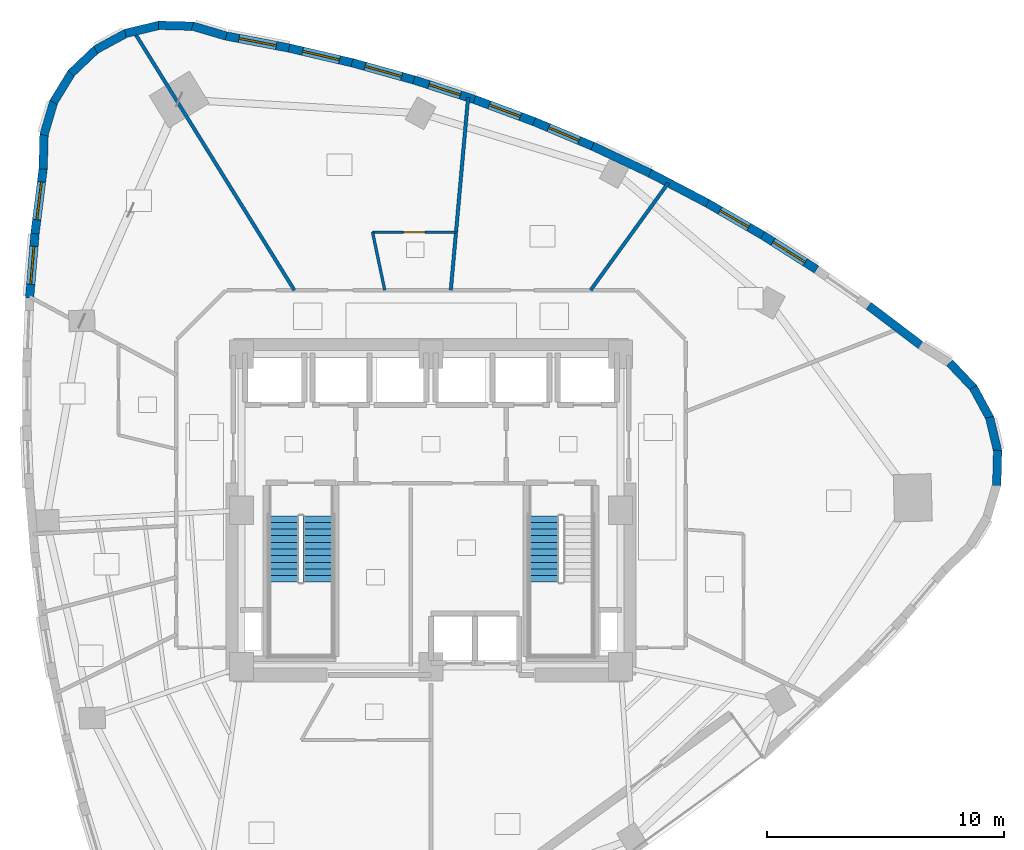
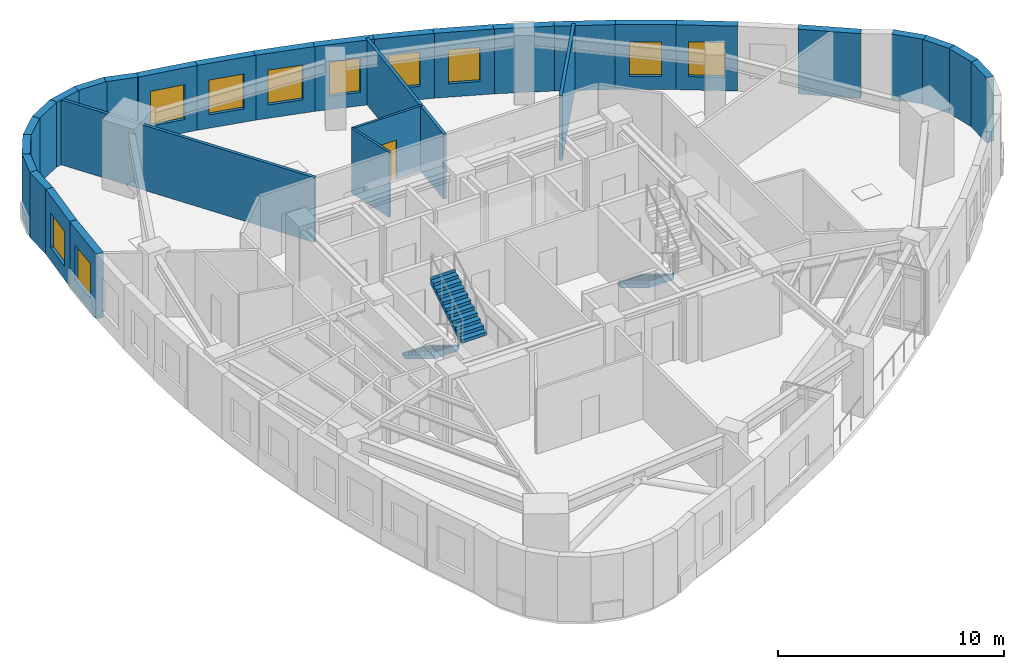
# One storey, part 8 of 12: 30 walls, 10 windows, 3 stair flights, 1 door, 11 openings, 2 elements without a shape of their own.
"""IFC4 building model written with IfcOpenShell, lengths in metres."""

from ifc_helpers import new_model, si_unit, direction, frame, frame_2d, origin, place, context, subcontext, project, spatial, polyline, rectangle, outline, extrude, material, layer, layer_set, type_object, element, fill, aggregate, save


model = new_model("IFC4")

# Units and contexts
model_context = context("Model", 3, precision=1e-05, world=origin(), true_north=direction((0.0, 1.0)))
body_context = subcontext(model_context, "Body", "Model", "MODEL_VIEW")
ifc_project = project(units=[si_unit("LENGTHUNIT", "METRE"), si_unit("AREAUNIT", "SQUARE_METRE"), si_unit("VOLUMEUNIT", "CUBIC_METRE"), si_unit("PLANEANGLEUNIT", "RADIAN"), si_unit("MASSUNIT", "GRAM", prefix="KILO")], contexts=[model_context])

# Site, building, storey
site_placement = place(None, origin())
site = spatial("IfcSite", under=ifc_project, at=site_placement, CompositionType="ELEMENT")
building_placement = place(site_placement, origin())
building = spatial("IfcBuilding", under=site, at=building_placement, Name="Ndelora Gate Hotel", CompositionType="ELEMENT")
storey_placement = place(building_placement, frame((0.0, 0.0, 149.75)))
storey = spatial("IfcBuildingStorey", under=building, at=storey_placement, Name="L37", CompositionType="ELEMENT", Elevation=149.75)

# Walls
ifc_material_1 = material(Name="Clay Brick Masonry", Category="masonry")
ifc_layer_1 = layer(ifc_material_1, 0.360107421875)
ifc_layer_set_1 = layer_set([ifc_layer_1], Name="Clay Brick Masonry")
wall_type_1 = type_object("IfcWallType", Name="WL-BRICK-360", PredefinedType="SOLIDWALL", material=ifc_layer_set_1)
for number, where, z_axis, x_axis, name in (
    (1, (-10.072998046875, 20.455078125, 0.0), (0.0, 0.0, 1.0), (0.95879313952, -0.284105113664, 0.0), "L37 Tower Brick Pier-and-Spandrel Wall TWR-1"),
    (2, (-11.509521484375, 20.486083984375, 0.0), (0.0, 0.0, 1.0), (0.999658678656, -0.026125202154, 0.0), "L37 Tower Brick Pier-and-Spandrel Wall TWR-2"),
):
    element("IfcWall", number, at=place(storey_placement, frame(where, z_axis=z_axis, x_axis=x_axis)), inside=storey, type_object=wall_type_1, Name=name, PredefinedType="SOLIDWALL", context=body_context, shape_type="SweptSolid", body=[
        extrude(rectangle(XDim=1.48583984375, YDim=0.360107421875, at=frame_2d((0.742919921875, 0.0))), origin(), (0.0, 0.0, 1.0), 3.5),
    ])
wall_1_placement = place(storey_placement, frame((-12.90478515625, 20.14453125, 0.0), z_axis=(0.0, 0.0, 1.0), x_axis=(0.972390285352, 0.233360521413, 0.0)))
element("IfcWall", 3, at=wall_1_placement, inside=storey, type_object=wall_type_1, Name="L37 Tower Brick Pier-and-Spandrel Wall TWR-3", PredefinedType="SOLIDWALL", context=body_context, shape_type="SweptSolid", body=[
    extrude(rectangle(XDim=1.485595703125, YDim=0.360107421875, at=frame_2d((0.74267578125, 0.0))), origin(), (0.0, 0.0, 1.0), 3.5),
])
wall_2_placement = place(storey_placement, frame((-14.164306640625, 19.453369140625, 0.0), z_axis=(0.0, 0.0, 1.0), x_axis=(0.87890460574, 0.476997582812, 0.0)))
element("IfcWall", 4, at=wall_2_placement, inside=storey, type_object=wall_type_1, Name="L37 Tower Brick Pier-and-Spandrel Wall TWR-4", PredefinedType="SOLIDWALL", context=body_context, shape_type="SweptSolid", body=[
    extrude(rectangle(XDim=1.48583984375, YDim=0.360107421875, at=frame_2d((0.742919921875, 0.0))), origin(), (0.0, 0.0, 1.0), 3.5),
])
wall_3_placement = place(storey_placement, frame((-15.201904296875, 18.459716796875, 0.0), z_axis=(0.0, 0.0, 1.0), x_axis=(0.725352183474, 0.688377955726, 0.0)))
element("IfcWall", 5, at=wall_3_placement, inside=storey, type_object=wall_type_1, Name="L37 Tower Brick Pier-and-Spandrel Wall TWR-5", PredefinedType="SOLIDWALL", context=body_context, shape_type="SweptSolid", body=[
    extrude(rectangle(XDim=1.485595703125, YDim=0.360107421875, at=frame_2d((0.74267578125, 0.0))), origin(), (0.0, 0.0, 1.0), 3.5),
])
wall_4_placement = place(storey_placement, frame((-15.947021484375, 17.2314453125, 0.0), z_axis=(0.0, 0.0, 1.0), x_axis=(0.522519673624, 0.852627228439, 0.0)))
element("IfcWall", 6, at=wall_4_placement, inside=storey, type_object=wall_type_1, Name="L37 Tower Brick Pier-and-Spandrel Wall TWR-6", PredefinedType="SOLIDWALL", context=body_context, shape_type="SweptSolid", body=[
    extrude(rectangle(XDim=1.48583984375, YDim=0.360107421875, at=frame_2d((0.742919921875, 0.0))), origin(), (0.0, 0.0, 1.0), 3.5),
])
for number, where, z_axis, x_axis, name in (
    (7, (-16.348876953125, 15.85205078125, 0.0), (0.0, 0.0, 1.0), (0.283954048509, 0.958837889497, 0.0), "L37 Tower Brick Pier-and-Spandrel Wall TWR-7"),
    (8, (-16.380126953125, 14.415771484375, 0.0), (0.0, 0.0, 1.0), (0.026293717191, 0.99965426045, 0.0), "L37 Tower Brick Pier-and-Spandrel Wall TWR-8"),
):
    element("IfcWall", number, at=place(storey_placement, frame(where, z_axis=z_axis, x_axis=x_axis)), inside=storey, type_object=wall_type_1, Name=name, PredefinedType="SOLIDWALL", context=body_context, shape_type="SweptSolid", body=[
        extrude(rectangle(XDim=1.485595703125, YDim=0.360107421875, at=frame_2d((0.74267578125, 0.0))), origin(), (0.0, 0.0, 1.0), 3.5),
    ])

# Wall, opening, window
wall_5_placement = place(storey_placement, frame((-16.725341796875, 11.686279296875, 0.0), z_axis=(0.0, 0.0, 1.0), x_axis=(0.124635429152, 0.992202605217, 0.0)))
wall_5 = element("IfcWall", 9, at=wall_5_placement, inside=storey, type_object=wall_type_1, Name="L37 Tower Brick Pier-and-Spandrel Wall TWR-9", PredefinedType="SOLIDWALL", context=body_context, shape_type="SweptSolid", body=[
    extrude(rectangle(XDim=2.801025390625, YDim=0.360107421875, at=frame_2d((1.400390625, 0.0))), origin(), (0.0, 0.0, 1.0), 3.5),
])
opening_1_placement = place(wall_5_placement, frame((0.6005859375, 0.0, 0.719970703125)))
opening_1 = element("IfcOpeningElement", 10, at=opening_1_placement, cuts=wall_5, Name="Opening W03", PredefinedType="OPENING", context=body_context, shape_type="SweptSolid", body=[
    extrude(rectangle(XDim=1.60009765625, YDim=1.8798828125, at=frame_2d((0.800048828125, 0.93994140625))), frame((0.0, 0.18994140625, 0.0), z_axis=(0.0, -1.0, 0.0), x_axis=(1.0, 0.0, 0.0)), (0.0, 0.0, 1.0), 0.380126953125),
])
ifc_material_2 = material(Name="Insulated Low-E Double Glazing in Bronze Aluminium Frame", Category="aluminium")
window_type_1 = type_object("IfcWindowType", Name="WN-CORN-2100", PartitioningType="SINGLE_PANEL", PredefinedType="WINDOW", material=ifc_material_2)
window_1_placement = place(opening_1_placement, origin())
window_1 = element("IfcWindow", 11, at=window_1_placement, inside=storey, type_object=window_type_1, Name="L37 Deep-Set Brick-Pier Window W03", OverallHeight=1.8798828125, OverallWidth=1.60009765625, PartitioningType="SINGLE_PANEL", PredefinedType="WINDOW", context=body_context, shape_type="SweptSolid", body=[
    extrude(rectangle(XDim=1.60009765625, YDim=1.8798828125, at=frame_2d((0.800048828125, 0.93994140625))), frame((0.0, 0.030029296875, 0.0), z_axis=(0.0, -1.0, 0.0), x_axis=(1.0, 0.0, 0.0)), (0.0, 0.0, 1.0), 0.06005859375),
])
fill(opening_1, window_1)

wall_6_placement = place(storey_placement, frame((-16.9541015625, 8.96826171875, 0.0), z_axis=(0.0, 0.0, 1.0), x_axis=(0.084209356436, 0.996448084091, 0.0)))
wall_6 = element("IfcWall", 12, at=wall_6_placement, inside=storey, type_object=wall_type_1, Name="L37 Tower Brick Pier-and-Spandrel Wall TWR-10", PredefinedType="SOLIDWALL", context=body_context, shape_type="SweptSolid", body=[
    extrude(rectangle(XDim=2.77734375, YDim=0.360107421875, at=frame_2d((1.388671875, 0.0))), origin(), (0.0, 0.0, 1.0), 3.5),
])
opening_2_placement = place(wall_6_placement, frame((0.5888671875, 0.0, 0.719970703125)))
opening_2 = element("IfcOpeningElement", 13, at=opening_2_placement, cuts=wall_6, Name="Opening W01", PredefinedType="OPENING", context=body_context, shape_type="SweptSolid", body=[
    extrude(rectangle(XDim=1.60009765625, YDim=1.8798828125, at=frame_2d((0.800048828125, 0.93994140625))), frame((0.0, 0.18994140625, 0.0), z_axis=(0.0, -1.0, 0.0), x_axis=(1.0, 0.0, 0.0)), (0.0, 0.0, 1.0), 0.380126953125),
])
window_type_2 = type_object("IfcWindowType", Name="WN-DEEP-1600", PartitioningType="SINGLE_PANEL", PredefinedType="WINDOW", material=ifc_material_2)
window_2_placement = place(opening_2_placement, origin())
window_2 = element("IfcWindow", 14, at=window_2_placement, inside=storey, type_object=window_type_2, Name="L37 Deep-Set Brick-Pier Window W01", OverallHeight=1.8798828125, OverallWidth=1.60009765625, PartitioningType="SINGLE_PANEL", PredefinedType="WINDOW", context=body_context, shape_type="SweptSolid", body=[
    extrude(rectangle(XDim=1.60009765625, YDim=1.8798828125, at=frame_2d((0.800048828125, 0.93994140625))), frame((0.0, 0.030029296875, 0.0), z_axis=(0.0, -1.0, 0.0), x_axis=(1.0, 0.0, 0.0)), (0.0, 0.0, 1.0), 0.06005859375),
])
fill(opening_2, window_2)

# Walls
wall_7_placement = place(storey_placement, frame((23.92919921875, 2.5400390625, 0.0), z_axis=(0.0, 0.0, 1.0), x_axis=(-0.026289398397, -0.999654374037, 0.0)))
element("IfcWall", 15, at=wall_7_placement, inside=storey, type_object=wall_type_1, Name="L37 Tower Brick Pier-and-Spandrel Wall TWR-42", PredefinedType="SOLIDWALL", context=body_context, shape_type="SweptSolid", body=[
    extrude(rectangle(XDim=1.48583984375, YDim=0.360107421875, at=frame_2d((0.742919921875, 0.0))), origin(), (0.0, 0.0, 1.0), 3.5),
])
for number, where, z_axis, x_axis, name in (
    (16, (23.587646484375, 3.935302734375, 0.0), (0.0, 0.0, 1.0), (0.233360521413, -0.972390285352, 0.0), "L37 Tower Brick Pier-and-Spandrel Wall TWR-43"),
    (17, (22.896484375, 5.19482421875, 0.0), (0.0, 0.0, 1.0), (0.477066476677, -0.878867212286, 0.0), "L37 Tower Brick Pier-and-Spandrel Wall TWR-44"),
):
    element("IfcWall", number, at=place(storey_placement, frame(where, z_axis=z_axis, x_axis=x_axis)), inside=storey, type_object=wall_type_1, Name=name, PredefinedType="SOLIDWALL", context=body_context, shape_type="SweptSolid", body=[
        extrude(rectangle(XDim=1.485595703125, YDim=0.360107421875, at=frame_2d((0.74267578125, 0.0))), origin(), (0.0, 0.0, 1.0), 3.5),
    ])
wall_8_placement = place(storey_placement, frame((21.902587890625, 6.232421875, 0.0), z_axis=(0.0, 0.0, 1.0), x_axis=(0.688464400899, -0.725270134981, 0.0)))
element("IfcWall", 18, at=wall_8_placement, inside=storey, type_object=wall_type_1, Name="L37 Tower Brick Pier-and-Spandrel Wall TWR-45", PredefinedType="SOLIDWALL", context=body_context, shape_type="SweptSolid", body=[
    extrude(rectangle(XDim=1.48583984375, YDim=0.360107421875, at=frame_2d((0.742919921875, 0.0))), origin(), (0.0, 0.0, 1.0), 3.5),
])
wall_9_placement = place(storey_placement, frame((18.483154296875, 8.6416015625, 0.0), z_axis=(0.0, 0.0, 1.0), x_axis=(0.796935762967, -0.604064060928, 0.0)))
element("IfcWall", 19, at=wall_9_placement, inside=storey, type_object=wall_type_1, Name="L37 Tower Brick Pier-and-Spandrel Wall TWR-47", PredefinedType="SOLIDWALL", context=body_context, shape_type="SweptSolid", body=[
    extrude(rectangle(XDim=2.80126953125, YDim=0.360107421875, at=frame_2d((1.400634765625, 0.0))), origin(), (0.0, 0.0, 1.0), 3.5),
])

# Wall, opening, window
wall_10_placement = place(storey_placement, frame((13.9580078125, 11.6513671875, 0.0), z_axis=(0.0, 0.0, 1.0), x_axis=(0.843759875161, -0.53672085209, 0.0)))
wall_10 = element("IfcWall", 20, at=wall_10_placement, inside=storey, type_object=wall_type_1, Name="L37 Tower Brick Pier-and-Spandrel Wall TWR-49", PredefinedType="SOLIDWALL", context=body_context, shape_type="SweptSolid", body=[
    extrude(rectangle(XDim=2.75830078125, YDim=0.360107421875, at=frame_2d((1.379150390625, 0.0))), origin(), (0.0, 0.0, 1.0), 3.5),
])
opening_3_placement = place(wall_10_placement, frame((0.5791015625, 0.0, 0.719970703125)))
opening_3 = element("IfcOpeningElement", 21, at=opening_3_placement, cuts=wall_10, Name="Opening W03", PredefinedType="OPENING", context=body_context, shape_type="SweptSolid", body=[
    extrude(rectangle(XDim=1.60009765625, YDim=1.8798828125, at=frame_2d((0.800048828125, 0.93994140625))), frame((0.0, 0.18994140625, 0.0), z_axis=(0.0, -1.0, 0.0), x_axis=(1.0, 0.0, 0.0)), (0.0, 0.0, 1.0), 0.380126953125),
])
window_3_placement = place(opening_3_placement, origin())
window_3 = element("IfcWindow", 22, at=window_3_placement, inside=storey, type_object=window_type_1, Name="L37 Deep-Set Brick-Pier Window W03", OverallHeight=1.8798828125, OverallWidth=1.60009765625, PartitioningType="SINGLE_PANEL", PredefinedType="WINDOW", context=body_context, shape_type="SweptSolid", body=[
    extrude(rectangle(XDim=1.60009765625, YDim=1.8798828125, at=frame_2d((0.800048828125, 0.93994140625))), frame((0.0, 0.030029296875, 0.0), z_axis=(0.0, -1.0, 0.0), x_axis=(1.0, 0.0, 0.0)), (0.0, 0.0, 1.0), 0.06005859375),
])
fill(opening_3, window_3)

wall_11_placement = place(storey_placement, frame((11.6259765625, 13.000244140625, 0.0), z_axis=(0.0, 0.0, 1.0), x_axis=(0.86542019342, -0.501046793044, 0.0)))
wall_11 = element("IfcWall", 23, at=wall_11_placement, inside=storey, type_object=wall_type_1, Name="L37 Tower Brick Pier-and-Spandrel Wall TWR-50", PredefinedType="SOLIDWALL", context=body_context, shape_type="SweptSolid", body=[
    extrude(rectangle(XDim=2.74365234375, YDim=0.360107421875, at=frame_2d((1.371826171875, 0.0))), origin(), (0.0, 0.0, 1.0), 3.5),
])
opening_4_placement = place(wall_11_placement, frame((0.672119140625, 0.0, 0.719970703125)))
opening_4 = element("IfcOpeningElement", 24, at=opening_4_placement, cuts=wall_11, Name="Opening W02", PredefinedType="OPENING", context=body_context, shape_type="SweptSolid", body=[
    extrude(rectangle(XDim=1.39990234375, YDim=1.840087890625, at=frame_2d((0.699951171875, 0.919921875))), frame((0.0, 0.18994140625, 0.0), z_axis=(0.0, -1.0, 0.0), x_axis=(1.0, 0.0, 0.0)), (0.0, 0.0, 1.0), 0.380126953125),
])
window_type_3 = type_object("IfcWindowType", Name="WN-DEEP-1400", PartitioningType="SINGLE_PANEL", PredefinedType="WINDOW", material=ifc_material_2)
window_4_placement = place(opening_4_placement, origin())
window_4 = element("IfcWindow", 25, at=window_4_placement, inside=storey, type_object=window_type_3, Name="L37 Deep-Set Brick-Pier Window W02", OverallHeight=1.840087890625, OverallWidth=1.39990234375, PartitioningType="SINGLE_PANEL", PredefinedType="WINDOW", context=body_context, shape_type="SweptSolid", body=[
    extrude(rectangle(XDim=1.39990234375, YDim=1.840087890625, at=frame_2d((0.699951171875, 0.919921875))), frame((0.0, 0.030029296875, 0.0), z_axis=(0.0, -1.0, 0.0), x_axis=(1.0, 0.0, 0.0)), (0.0, 0.0, 1.0), 0.06005859375),
])
fill(opening_4, window_4)

# Walls
wall_12_placement = place(storey_placement, frame((9.24755859375, 14.2451171875, 0.0), z_axis=(0.0, 0.0, 1.0), x_axis=(0.885821049336, -0.464027012741, 0.0)))
element("IfcWall", 26, at=wall_12_placement, inside=storey, type_object=wall_type_1, Name="L37 Tower Brick Pier-and-Spandrel Wall TWR-51", PredefinedType="SOLIDWALL", context=body_context, shape_type="SweptSolid", body=[
    extrude(rectangle(XDim=2.734375, YDim=0.360107421875, at=frame_2d((1.3671875, 0.0))), origin(), (0.0, 0.0, 1.0), 3.5),
])
wall_13_placement = place(storey_placement, frame((6.82275390625, 15.3857421875, 0.0), z_axis=(0.0, 0.0, 1.0), x_axis=(0.904715296729, -0.426016703739, 0.0)))
element("IfcWall", 27, at=wall_13_placement, inside=storey, type_object=wall_type_1, Name="L37 Tower Brick Pier-and-Spandrel Wall TWR-52", PredefinedType="SOLIDWALL", context=body_context, shape_type="SweptSolid", body=[
    extrude(rectangle(XDim=2.7294921875, YDim=0.360107421875, at=frame_2d((1.36474609375, 0.0))), origin(), (0.0, 0.0, 1.0), 3.5),
])

# Wall, opening, window
wall_14_placement = place(storey_placement, frame((4.351806640625, 16.42236328125, 0.0), z_axis=(0.0, 0.0, 1.0), x_axis=(0.921993601294, -0.387205112534, 0.0)))
wall_14 = element("IfcWall", 28, at=wall_14_placement, inside=storey, type_object=wall_type_1, Name="L37 Tower Brick Pier-and-Spandrel Wall TWR-53", PredefinedType="SOLIDWALL", context=body_context, shape_type="SweptSolid", body=[
    extrude(rectangle(XDim=2.7294921875, YDim=0.360107421875, at=frame_2d((1.36474609375, 0.0))), origin(), (0.0, 0.0, 1.0), 3.5),
])
opening_5_placement = place(wall_14_placement, frame((0.664794921875, 0.0, 0.719970703125)))
opening_5 = element("IfcOpeningElement", 29, at=opening_5_placement, cuts=wall_14, Name="Opening W02", PredefinedType="OPENING", context=body_context, shape_type="SweptSolid", body=[
    extrude(rectangle(XDim=1.39990234375, YDim=1.840087890625, at=frame_2d((0.699951171875, 0.919921875))), frame((0.0, 0.18994140625, 0.0), z_axis=(0.0, -1.0, 0.0), x_axis=(1.0, 0.0, 0.0)), (0.0, 0.0, 1.0), 0.380126953125),
])
window_5_placement = place(opening_5_placement, origin())
window_5 = element("IfcWindow", 30, at=window_5_placement, inside=storey, type_object=window_type_3, Name="L37 Deep-Set Brick-Pier Window W02", OverallHeight=1.840087890625, OverallWidth=1.39990234375, PartitioningType="SINGLE_PANEL", PredefinedType="WINDOW", context=body_context, shape_type="SweptSolid", body=[
    extrude(rectangle(XDim=1.39990234375, YDim=1.840087890625, at=frame_2d((0.699951171875, 0.919921875))), frame((0.0, 0.030029296875, 0.0), z_axis=(0.0, -1.0, 0.0), x_axis=(1.0, 0.0, 0.0)), (0.0, 0.0, 1.0), 0.06005859375),
])
fill(opening_5, window_5)

wall_15_placement = place(storey_placement, frame((1.834716796875, 17.35498046875, 0.0), z_axis=(0.0, 0.0, 1.0), x_axis=(0.937570914704, -0.347794163121, 0.0)))
wall_15 = element("IfcWall", 31, at=wall_15_placement, inside=storey, type_object=wall_type_1, Name="L37 Tower Brick Pier-and-Spandrel Wall TWR-54", PredefinedType="SOLIDWALL", context=body_context, shape_type="SweptSolid", body=[
    extrude(rectangle(XDim=2.734130859375, YDim=0.360107421875, at=frame_2d((1.3671875, 0.0))), origin(), (0.0, 0.0, 1.0), 3.5),
])
opening_6_placement = place(wall_15_placement, frame((0.667236328125, 0.0, 0.719970703125)))
opening_6 = element("IfcOpeningElement", 32, at=opening_6_placement, cuts=wall_15, Name="Opening W02", PredefinedType="OPENING", context=body_context, shape_type="SweptSolid", body=[
    extrude(rectangle(XDim=1.39990234375, YDim=1.840087890625, at=frame_2d((0.699951171875, 0.919921875))), frame((0.0, 0.18994140625, 0.0), z_axis=(0.0, -1.0, 0.0), x_axis=(1.0, 0.0, 0.0)), (0.0, 0.0, 1.0), 0.380126953125),
])
window_6_placement = place(opening_6_placement, origin())
window_6 = element("IfcWindow", 33, at=window_6_placement, inside=storey, type_object=window_type_3, Name="L37 Deep-Set Brick-Pier Window W02", OverallHeight=1.840087890625, OverallWidth=1.39990234375, PartitioningType="SINGLE_PANEL", PredefinedType="WINDOW", context=body_context, shape_type="SweptSolid", body=[
    extrude(rectangle(XDim=1.39990234375, YDim=1.840087890625, at=frame_2d((0.699951171875, 0.919921875))), frame((0.0, 0.030029296875, 0.0), z_axis=(0.0, -1.0, 0.0), x_axis=(1.0, 0.0, 0.0)), (0.0, 0.0, 1.0), 0.06005859375),
])
fill(opening_6, window_6)

wall_16_placement = place(storey_placement, frame((-0.728759765625, 18.18359375, 0.0), z_axis=(0.0, 0.0, 1.0), x_axis=(0.951405423372, -0.307941098877, 0.0)))
wall_16 = element("IfcWall", 34, at=wall_16_placement, inside=storey, type_object=wall_type_1, Name="L37 Tower Brick Pier-and-Spandrel Wall TWR-55", PredefinedType="SOLIDWALL", context=body_context, shape_type="SweptSolid", body=[
    extrude(rectangle(XDim=2.743896484375, YDim=0.360107421875, at=frame_2d((1.3720703125, 0.0))), origin(), (0.0, 0.0, 1.0), 3.5),
])
opening_7_placement = place(wall_16_placement, frame((0.672119140625, 0.0, 0.719970703125)))
opening_7 = element("IfcOpeningElement", 35, at=opening_7_placement, cuts=wall_16, Name="Opening W02", PredefinedType="OPENING", context=body_context, shape_type="SweptSolid", body=[
    extrude(rectangle(XDim=1.39990234375, YDim=1.840087890625, at=frame_2d((0.699951171875, 0.919921875))), frame((0.0, 0.18994140625, 0.0), z_axis=(0.0, -1.0, 0.0), x_axis=(1.0, 0.0, 0.0)), (0.0, 0.0, 1.0), 0.380126953125),
])
window_7_placement = place(opening_7_placement, origin())
window_7 = element("IfcWindow", 36, at=window_7_placement, inside=storey, type_object=window_type_3, Name="L37 Deep-Set Brick-Pier Window W02", OverallHeight=1.840087890625, OverallWidth=1.39990234375, PartitioningType="SINGLE_PANEL", PredefinedType="WINDOW", context=body_context, shape_type="SweptSolid", body=[
    extrude(rectangle(XDim=1.39990234375, YDim=1.840087890625, at=frame_2d((0.699951171875, 0.919921875))), frame((0.0, 0.030029296875, 0.0), z_axis=(0.0, -1.0, 0.0), x_axis=(1.0, 0.0, 0.0)), (0.0, 0.0, 1.0), 0.06005859375),
])
fill(opening_7, window_7)

wall_17_placement = place(storey_placement, frame((-3.338623046875, 18.907958984375, 0.0), z_axis=(0.0, 0.0, 1.0), x_axis=(0.963469710564, -0.267817319876, 0.0)))
wall_17 = element("IfcWall", 37, at=wall_17_placement, inside=storey, type_object=wall_type_1, Name="L37 Tower Brick Pier-and-Spandrel Wall TWR-56", PredefinedType="SOLIDWALL", context=body_context, shape_type="SweptSolid", body=[
    extrude(rectangle(XDim=2.758544921875, YDim=0.360107421875, at=frame_2d((1.37939453125, 0.0))), origin(), (0.0, 0.0, 1.0), 3.5),
])
opening_8_placement = place(wall_17_placement, frame((0.5791015625, 0.0, 0.719970703125)))
opening_8 = element("IfcOpeningElement", 38, at=opening_8_placement, cuts=wall_17, Name="Opening W01", PredefinedType="OPENING", context=body_context, shape_type="SweptSolid", body=[
    extrude(rectangle(XDim=1.60009765625, YDim=1.8798828125, at=frame_2d((0.800048828125, 0.93994140625))), frame((0.0, 0.18994140625, 0.0), z_axis=(0.0, -1.0, 0.0), x_axis=(1.0, 0.0, 0.0)), (0.0, 0.0, 1.0), 0.380126953125),
])
window_8_placement = place(opening_8_placement, origin())
window_8 = element("IfcWindow", 39, at=window_8_placement, inside=storey, type_object=window_type_2, Name="L37 Deep-Set Brick-Pier Window W01", OverallHeight=1.8798828125, OverallWidth=1.60009765625, PartitioningType="SINGLE_PANEL", PredefinedType="WINDOW", context=body_context, shape_type="SweptSolid", body=[
    extrude(rectangle(XDim=1.60009765625, YDim=1.8798828125, at=frame_2d((0.800048828125, 0.93994140625))), frame((0.0, 0.030029296875, 0.0), z_axis=(0.0, -1.0, 0.0), x_axis=(1.0, 0.0, 0.0)), (0.0, 0.0, 1.0), 0.06005859375),
])
fill(opening_8, window_8)

wall_18_placement = place(storey_placement, frame((-5.99462890625, 19.5283203125, 0.0), z_axis=(0.0, 0.0, 1.0), x_axis=(0.973697722737, -0.227843684873, 0.0)))
wall_18 = element("IfcWall", 40, at=wall_18_placement, inside=storey, type_object=wall_type_1, Name="L37 Tower Brick Pier-and-Spandrel Wall TWR-57", PredefinedType="SOLIDWALL", context=body_context, shape_type="SweptSolid", body=[
    extrude(rectangle(XDim=2.77734375, YDim=0.360107421875, at=frame_2d((1.388671875, 0.0))), origin(), (0.0, 0.0, 1.0), 3.5),
])
opening_9_placement = place(wall_18_placement, frame((0.5888671875, 0.0, 0.719970703125)))
opening_9 = element("IfcOpeningElement", 41, at=opening_9_placement, cuts=wall_18, Name="Opening W03", PredefinedType="OPENING", context=body_context, shape_type="SweptSolid", body=[
    extrude(rectangle(XDim=1.60009765625, YDim=1.8798828125, at=frame_2d((0.800048828125, 0.93994140625))), frame((0.0, 0.18994140625, 0.0), z_axis=(0.0, -1.0, 0.0), x_axis=(1.0, 0.0, 0.0)), (0.0, 0.0, 1.0), 0.380126953125),
])
window_9_placement = place(opening_9_placement, origin())
window_9 = element("IfcWindow", 42, at=window_9_placement, inside=storey, type_object=window_type_1, Name="L37 Deep-Set Brick-Pier Window W03", OverallHeight=1.8798828125, OverallWidth=1.60009765625, PartitioningType="SINGLE_PANEL", PredefinedType="WINDOW", context=body_context, shape_type="SweptSolid", body=[
    extrude(rectangle(XDim=1.60009765625, YDim=1.8798828125, at=frame_2d((0.800048828125, 0.93994140625))), frame((0.0, 0.030029296875, 0.0), z_axis=(0.0, -1.0, 0.0), x_axis=(1.0, 0.0, 0.0)), (0.0, 0.0, 1.0), 0.06005859375),
])
fill(opening_9, window_9)

wall_19_placement = place(storey_placement, frame((-8.697021484375, 20.044921875, 0.0), z_axis=(0.0, 0.0, 1.0), x_axis=(0.982153479192, -0.188081214668, 0.0)))
wall_19 = element("IfcWall", 43, at=wall_19_placement, inside=storey, type_object=wall_type_1, Name="L37 Tower Brick Pier-and-Spandrel Wall TWR-58", PredefinedType="SOLIDWALL", context=body_context, shape_type="SweptSolid", body=[
    extrude(rectangle(XDim=2.80126953125, YDim=0.360107421875, at=frame_2d((1.400634765625, 0.0))), origin(), (0.0, 0.0, 1.0), 3.5),
])
opening_10_placement = place(wall_19_placement, frame((0.6005859375, 0.0, 0.719970703125)))
opening_10 = element("IfcOpeningElement", 44, at=opening_10_placement, cuts=wall_19, Name="Opening W01", PredefinedType="OPENING", context=body_context, shape_type="SweptSolid", body=[
    extrude(rectangle(XDim=1.60009765625, YDim=1.8798828125, at=frame_2d((0.800048828125, 0.93994140625))), frame((0.0, 0.18994140625, 0.0), z_axis=(0.0, -1.0, 0.0), x_axis=(1.0, 0.0, 0.0)), (0.0, 0.0, 1.0), 0.380126953125),
])
window_10_placement = place(opening_10_placement, origin())
window_10 = element("IfcWindow", 45, at=window_10_placement, inside=storey, type_object=window_type_2, Name="L37 Deep-Set Brick-Pier Window W01", OverallHeight=1.8798828125, OverallWidth=1.60009765625, PartitioningType="SINGLE_PANEL", PredefinedType="WINDOW", context=body_context, shape_type="SweptSolid", body=[
    extrude(rectangle(XDim=1.60009765625, YDim=1.8798828125, at=frame_2d((0.800048828125, 0.93994140625))), frame((0.0, 0.030029296875, 0.0), z_axis=(0.0, -1.0, 0.0), x_axis=(1.0, 0.0, 0.0)), (0.0, 0.0, 1.0), 0.06005859375),
])
fill(opening_10, window_10)

# Walls
ifc_material_3 = material(Name="Fire-Rated Gypsum Stud Partition", Category="gypsum")
ifc_layer_2 = layer(ifc_material_3, 0.14990234375)
ifc_layer_set_2 = layer_set([ifc_layer_2], Name="Fire-Rated Gypsum Stud Partition")
wall_type_2 = type_object("IfcWallType", Name="WL-PART-150", PredefinedType="PARTITIONING", material=ifc_layer_set_2)
wall_20_placement = place(storey_placement, frame((6.7392578125, 9.300048828125, 0.0), z_axis=(0.0, 0.0, 1.0), x_axis=(0.586776904719, 0.809748642536, 0.0)))
element("IfcWall", 46, at=wall_20_placement, inside=storey, type_object=wall_type_2, Name="L37 Interior Wall IW-5", PredefinedType="PARTITIONING", context=body_context, shape_type="SweptSolid", body=[
    extrude(rectangle(XDim=5.602783203125, YDim=0.14990234375, at=frame_2d((2.80126953125, 0.0))), origin(), (0.0, 0.0, 1.0), 3.5),
])
wall_21_placement = place(storey_placement, frame((0.83544921875, 9.300048828125, 0.0), z_axis=(0.0, 0.0, 1.0), x_axis=(0.089461102412, 0.995990316798, 0.0)))
element("IfcWall", 47, at=wall_21_placement, inside=storey, type_object=wall_type_2, Name="L37 Interior Wall IW-5", PredefinedType="PARTITIONING", context=body_context, shape_type="SweptSolid", body=[
    extrude(rectangle(XDim=8.17333984375, YDim=0.14990234375, at=frame_2d((4.086669921875, 0.0))), origin(), (0.0, 0.0, 1.0), 3.5),
])
wall_22_placement = place(storey_placement, frame((-5.771484375, 9.300048828125, 0.0), z_axis=(0.0, 0.0, 1.0), x_axis=(-0.527300490904, 0.849678875983, 0.0)))
element("IfcWall", 48, at=wall_22_placement, inside=storey, type_object=wall_type_2, Name="L37 Interior Wall IW-5", PredefinedType="PARTITIONING", context=body_context, shape_type="SweptSolid", body=[
    extrude(rectangle(XDim=12.862060546875, YDim=0.14990234375, at=frame_2d((6.43115234375, 0.0))), origin(), (0.0, 0.0, 1.0), 3.5),
])
ifc_material_4 = material(Name="Moisture-Resistant Bathroom Tile Partition", Category="gypsum")
ifc_layer_3 = layer(ifc_material_4, 0.1201171875)
ifc_layer_set_3 = layer_set([ifc_layer_3], Name="Moisture-Resistant Bathroom Tile Partition")
wall_type_3 = type_object("IfcWallType", Name="WL-WET-120", PredefinedType="PARTITIONING", material=ifc_layer_set_3)
wall_23_placement = place(storey_placement, frame((-1.9541015625, 9.300048828125, 0.0), z_axis=(0.0, 0.0, 1.0), x_axis=(-0.205671344661, 0.978621120754, 0.0)))
element("IfcWall", 49, at=wall_23_placement, inside=storey, type_object=wall_type_3, Name="L37 Interior Wall IW-7", PredefinedType="PARTITIONING", context=body_context, shape_type="SweptSolid", body=[
    extrude(rectangle(XDim=2.50341796875, YDim=0.1201171875, at=frame_2d((1.251708984375, 0.0))), origin(), (0.0, 0.0, 1.0), 3.5),
])

# Wall, opening, door
wall_24_placement = place(storey_placement, frame((-2.468994140625, 11.75, 0.0), z_axis=(0.0, 0.0, 1.0), x_axis=(1.0, 0.0, 0.0)))
wall_24 = element("IfcWall", 50, at=wall_24_placement, inside=storey, type_object=wall_type_3, Name="L37 Interior Wall IW-7", PredefinedType="PARTITIONING", context=body_context, shape_type="SweptSolid", body=[
    extrude(rectangle(XDim=3.5244140625, YDim=0.1201171875, at=frame_2d((1.76220703125, 0.0))), origin(), (0.0, 0.0, 1.0), 3.5),
])
opening_11_placement = place(wall_24_placement, frame((1.30224609375, 0.0, 0.0)))
opening_11 = element("IfcOpeningElement", 51, at=opening_11_placement, cuts=wall_24, Name="Opening D03", PredefinedType="OPENING", context=body_context, shape_type="SweptSolid", body=[
    extrude(rectangle(XDim=0.919921875, YDim=2.10009765625, at=frame_2d((0.4599609375, 1.050048828125))), frame((0.0, 0.070068359375, 0.0), z_axis=(0.0, -1.0, 0.0), x_axis=(1.0, 0.0, 0.0)), (0.0, 0.0, 1.0), 0.14013671875),
])
ifc_material_5 = material(Name="Moisture-Resistant Hardwood En-Suite Door", Category="wood")
door_type = type_object("IfcDoorType", Name="DR-BATH-920", OperationType="SINGLE_SWING_LEFT", PredefinedType="DOOR", material=ifc_material_5)
door_placement = place(opening_11_placement, origin())
door = element("IfcDoor", 52, at=door_placement, inside=storey, type_object=door_type, Name="L37 En-suite Bathroom 4003 Door", OperationType="SINGLE_SWING_RIGHT", OverallHeight=2.10009765625, OverallWidth=0.919921875, PredefinedType="DOOR", context=body_context, shape_type="SweptSolid", body=[
    extrude(rectangle(XDim=0.919921875, YDim=2.10009765625, at=frame_2d((0.4599609375, 1.050048828125))), frame((0.0, 0.02490234375, 0.0), z_axis=(0.0, -1.0, 0.0), x_axis=(1.0, 0.0, 0.0)), (0.0, 0.0, 1.0), 0.050048828125),
])
fill(opening_11, door)

# Stair, stair flights
ifc_material_6 = material(Name="Precast concrete C40/50", Category="concrete")
stair_type = type_object("IfcStairType", Name="STR-DOG-CORE", PredefinedType="HALF_TURN_STAIR", material=ifc_material_6)
stair_1_placement = place(storey_placement, origin())
stair_1 = element("IfcStair", 53, at=stair_1_placement, inside=storey, type_object=stair_type, Name="L37 Protected Core Exit Stair ST4", PredefinedType="HALF_TURN_STAIR")
stair_flight_type = type_object("IfcStairFlightType", Name="STF-PRECAST", PredefinedType="STRAIGHT", material=ifc_material_6)
stair_flight_1_placement = place(storey_placement, frame((-6.2099609375, -0.22998046875, 0.0), z_axis=(0.0, 0.0, 1.0), x_axis=(0.0, -1.0, 0.0)))
stair_flight_1 = element("IfcStairFlight", 54, at=stair_flight_1_placement, type_object=stair_flight_type, Name="ST4 flight 1", NumberOfRisers=11, NumberOfTreads=10, PredefinedType="STRAIGHT", RiserHeight=0.170454545, TreadLength=0.28, context=body_context, shape_type="SweptSolid", body=[
    extrude(outline(polyline([(-0.00048828125, 0.0), (-0.00048828125, 0.17041015625), (0.0, 0.17041015625), (0.280029296875, 0.17041015625), (0.280029296875, 0.3408203125), (0.56005859375, 0.3408203125), (0.56005859375, 0.511474609375), (0.840087890625, 0.511474609375), (0.840087890625, 0.681884765625), (1.1201171875, 0.681884765625), (1.1201171875, 0.852294921875), (1.39990234375, 0.852294921875), (1.39990234375, 1.022705078125), (1.679931640625, 1.022705078125), (1.679931640625, 1.193115234375), (1.9599609375, 1.193115234375), (1.9599609375, 1.363525390625), (2.239990234375, 1.363525390625), (2.239990234375, 1.5341796875), (2.52001953125, 1.5341796875), (2.52001953125, 1.70458984375), (2.800048828125, 1.70458984375), (2.800048828125, 1.875), (2.800537109375, 1.875), (2.800537109375, 1.695068359375), (2.800048828125, 1.529052734375), (0.288330078125, 0.0), (-0.00048828125, 0.0)])), frame((0.0, 0.64013671875, 0.0), z_axis=(0.0, -1.0, 0.0), x_axis=(1.0, 0.0, 0.0)), (0.0, 0.0, 1.0), 1.280029296875),
])
stair_flight_2_placement = place(storey_placement, frame((-4.77001953125, -3.030029296875, 1.875), z_axis=(0.0, 0.0, 1.0), x_axis=(0.0, 1.0, 0.0)))
stair_flight_2 = element("IfcStairFlight", 55, at=stair_flight_2_placement, type_object=stair_flight_type, Name="ST4 flight 2", NumberOfRisers=11, NumberOfTreads=10, PredefinedType="STRAIGHT", RiserHeight=0.170454545, TreadLength=0.28, context=body_context, shape_type="SweptSolid", body=[
    extrude(outline(polyline([(-0.00048828125, 0.0), (-0.00048828125, 0.17041015625), (0.0, 0.17041015625), (0.280029296875, 0.17041015625), (0.280029296875, 0.3408203125), (0.56005859375, 0.3408203125), (0.56005859375, 0.511474609375), (0.840087890625, 0.511474609375), (0.840087890625, 0.681884765625), (1.1201171875, 0.681884765625), (1.1201171875, 0.852294921875), (1.39990234375, 0.852294921875), (1.39990234375, 1.022705078125), (1.679931640625, 1.022705078125), (1.679931640625, 1.193115234375), (1.9599609375, 1.193115234375), (1.9599609375, 1.363525390625), (2.239990234375, 1.363525390625), (2.239990234375, 1.5341796875), (2.52001953125, 1.5341796875), (2.52001953125, 1.70458984375), (2.800048828125, 1.70458984375), (2.800048828125, 1.875), (2.800537109375, 1.875), (2.800537109375, 1.695068359375), (2.800048828125, 1.529052734375), (0.288330078125, 0.0), (-0.00048828125, 0.0)])), frame((0.0, 0.64013671875, 0.0), z_axis=(0.0, -1.0, 0.0), x_axis=(1.0, 0.0, 0.0)), (0.0, 0.0, 1.0), 1.280029296875),
])
aggregate(stair_1, [stair_flight_1, stair_flight_2])

# Stair, stair flight
stair_2_placement = place(storey_placement, origin())
stair_2 = element("IfcStair", 56, at=stair_2_placement, inside=storey, type_object=stair_type, Name="L37 Protected Core Exit Stair ST5", PredefinedType="HALF_TURN_STAIR")
stair_flight_3_placement = place(storey_placement, frame((4.77001953125, -0.22998046875, 0.0), z_axis=(0.0, 0.0, 1.0), x_axis=(0.0, -1.0, 0.0)))
stair_flight_3 = element("IfcStairFlight", 57, at=stair_flight_3_placement, type_object=stair_flight_type, Name="ST5 flight 1", NumberOfRisers=11, NumberOfTreads=10, PredefinedType="STRAIGHT", RiserHeight=0.170454545, TreadLength=0.28, context=body_context, shape_type="SweptSolid", body=[
    extrude(outline(polyline([(-0.00048828125, 0.0), (-0.00048828125, 0.17041015625), (0.0, 0.17041015625), (0.280029296875, 0.17041015625), (0.280029296875, 0.3408203125), (0.56005859375, 0.3408203125), (0.56005859375, 0.511474609375), (0.840087890625, 0.511474609375), (0.840087890625, 0.681884765625), (1.1201171875, 0.681884765625), (1.1201171875, 0.852294921875), (1.39990234375, 0.852294921875), (1.39990234375, 1.022705078125), (1.679931640625, 1.022705078125), (1.679931640625, 1.193115234375), (1.9599609375, 1.193115234375), (1.9599609375, 1.363525390625), (2.239990234375, 1.363525390625), (2.239990234375, 1.5341796875), (2.52001953125, 1.5341796875), (2.52001953125, 1.70458984375), (2.800048828125, 1.70458984375), (2.800048828125, 1.875), (2.800537109375, 1.875), (2.800537109375, 1.695068359375), (2.800048828125, 1.529052734375), (0.288330078125, 0.0), (-0.00048828125, 0.0)])), frame((0.0, 0.64013671875, 0.0), z_axis=(0.0, -1.0, 0.0), x_axis=(1.0, 0.0, 0.0)), (0.0, 0.0, 1.0), 1.280029296875),
])
aggregate(stair_2, [stair_flight_3])

save(model, "model.ifc")
